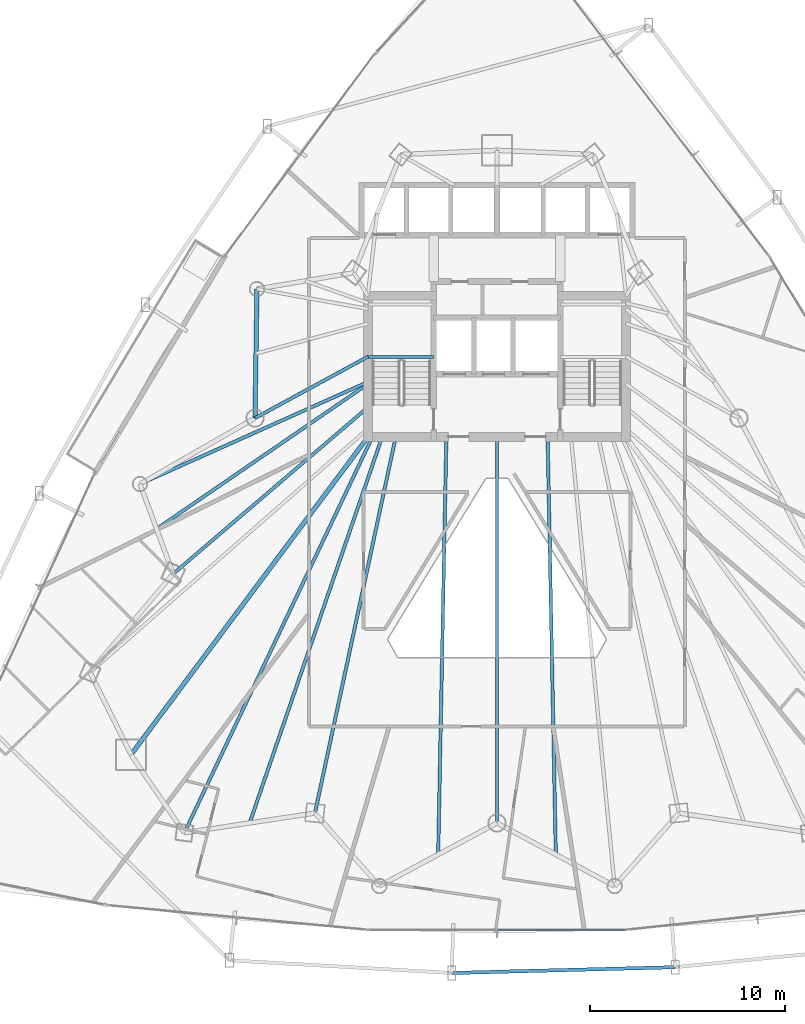
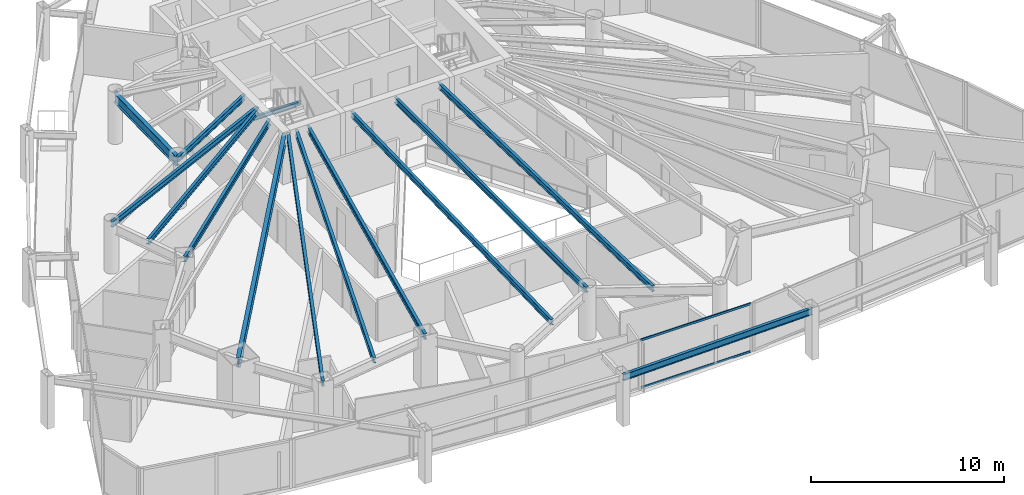
# One storey, part 11 of 35: 14 beams, 2 members, 1 element without a shape of its own.
"""IFC4 building model written with IfcOpenShell, lengths in metres."""

from ifc_helpers import new_model, si_unit, direction, frame, origin, origin_2d, place, context, subcontext, project, spatial, hollow_rectangle, i_section, extrude, material, layer, layer_set, material_profile, profile_set, type_object, element, aggregate, save


model = new_model("IFC4")

# Units and contexts
model_context = context("Model", 3, precision=1e-05, world=origin(), true_north=direction((0.0, 1.0)))
body_context = subcontext(model_context, "Body", "Model", "MODEL_VIEW")
ifc_project = project(units=[si_unit("LENGTHUNIT", "METRE"), si_unit("AREAUNIT", "SQUARE_METRE"), si_unit("VOLUMEUNIT", "CUBIC_METRE"), si_unit("PLANEANGLEUNIT", "RADIAN"), si_unit("MASSUNIT", "GRAM", prefix="KILO")], contexts=[model_context])

# Site, building, storey
site_placement = place(None, origin())
site = spatial("IfcSite", under=ifc_project, at=site_placement, CompositionType="ELEMENT")
building_placement = place(site_placement, origin())
building = spatial("IfcBuilding", under=site, at=building_placement, Name="Orvanel Arch Residences", CompositionType="ELEMENT")
storey_placement = place(building_placement, frame((0.0, 0.0, 33.5)))
storey = spatial("IfcBuildingStorey", under=building, at=storey_placement, Name="L08", CompositionType="ELEMENT", Elevation=33.5)

# Beams
ifc_material_1 = material(Name="Structural steel AS/NZS 3679.1 Grade 300 (300 MPa)", Category="steel")
ifc_material_profile_1 = material_profile(ifc_material_1, i_section(OverallWidth=0.22900390625, OverallDepth=0.612060546875, WebThickness=0.011962890625, FlangeThickness=0.01953125, at=origin_2d()), Name="610UB125")
ifc_profile_set_1 = profile_set([ifc_material_profile_1], Name="Structural steel AS/NZS 3679.1 Grade 300 (300 MPa)")
beam_type_1 = type_object("IfcBeamType", Name="BG-610UB", PredefinedType="BEAM", material=ifc_profile_set_1)
beam_1_placement = place(storey_placement, frame((26.375, 26.675048828125, 2.75390625), z_axis=(-0.597893733742, -0.801575375839, 0.0), x_axis=(0.801575375839, -0.597893733742, 0.0)))
element("IfcBeam", 1, at=beam_1_placement, inside=storey, type_object=beam_type_1, Name="L08 South-West Radial Girder", PredefinedType="BEAM", context=body_context, shape_type="SweptSolid", body=[
    extrude(i_section(OverallWidth=0.22900390625, OverallDepth=0.612060546875, WebThickness=0.011962890625, FlangeThickness=0.01953125, at=origin_2d()), origin(), (0.0, 0.0, 1.0), 20.36474609375),
])
ifc_material_profile_2 = material_profile(ifc_material_1, i_section(OverallWidth=0.14599609375, OverallDepth=0.251953125, WebThickness=0.006103515625, FlangeThickness=0.008544921875, at=origin_2d()), Name="250UB31.4")
ifc_profile_set_2 = profile_set([ifc_material_profile_2], Name="Structural steel AS/NZS 3679.1 Grade 300 (300 MPa)")
beam_type_2 = type_object("IfcBeamType", Name="BJ-250UB", PredefinedType="JOIST", material=ifc_profile_set_2)
beam_2_placement = place(storey_placement, frame((26.39990234375, 30.780029296875, 1.323974609375), z_axis=(1.0, 0.0, 0.0), x_axis=(0.0, 1.0, 0.0)))
element("IfcBeam", 2, at=beam_2_placement, inside=storey, type_object=beam_type_2, Name="L08 ST-1 Half-Landing Support Beam 1.1", PredefinedType="JOIST", context=body_context, shape_type="SweptSolid", body=[
    extrude(i_section(OverallWidth=0.14599609375, OverallDepth=0.251953125, WebThickness=0.006103515625, FlangeThickness=0.008544921875, at=origin_2d()), origin(), (0.0, 0.0, 1.0), 3.35009765625),
])
ifc_material_profile_3 = material_profile(ifc_material_1, i_section(OverallWidth=0.1708984375, OverallDepth=0.35595703125, WebThickness=0.00732421875, FlangeThickness=0.011474609375, at=origin_2d()), Name="360UB50.7")
ifc_profile_set_3 = profile_set([ifc_material_profile_3], Name="Structural steel AS/NZS 3679.1 Grade 300 (300 MPa)")
beam_type_3 = type_object("IfcBeamType", Name="BJ-360UB", PredefinedType="JOIST", material=ifc_profile_set_3)
beam_3_placement = place(storey_placement, frame((26.375, 30.800048828125, 2.882080078125), z_axis=(-0.878399029914, -0.477927969726, 0.0), x_axis=(0.477927969726, -0.878399029914, 0.0)))
element("IfcBeam", 3, at=beam_3_placement, inside=storey, type_object=beam_type_3, Name="L08 NW Wing Floor Joist", PredefinedType="JOIST", context=body_context, shape_type="SweptSolid", body=[
    extrude(i_section(OverallWidth=0.1708984375, OverallDepth=0.35595703125, WebThickness=0.00732421875, FlangeThickness=0.011474609375, at=origin_2d()), origin(), (0.0, 0.0, 1.0), 6.609619140625),
])
beam_4_placement = place(storey_placement, frame((26.375, 28.199951171875, 2.882080078125), z_axis=(-0.760024297953, -0.649894658018, 0.0), x_axis=(0.649894658018, -0.760024297953, 0.0)))
element("IfcBeam", 4, at=beam_4_placement, inside=storey, type_object=beam_type_3, Name="L08 W Wing Floor Joist", PredefinedType="JOIST", context=body_context, shape_type="SweptSolid", body=[
    extrude(i_section(OverallWidth=0.1708984375, OverallDepth=0.35595703125, WebThickness=0.00732421875, FlangeThickness=0.011474609375, at=origin_2d()), origin(), (0.0, 0.0, 1.0), 13.16796875),
])
beam_5_placement = place(storey_placement, frame((27.800048828125, 26.675048828125, 2.882080078125), z_axis=(-0.210066515515, -0.977687096703, 0.0), x_axis=(0.977687096703, -0.210066515515, 0.0)))
element("IfcBeam", 5, at=beam_5_placement, inside=storey, type_object=beam_type_3, Name="L08 SW Wing Floor Joist", PredefinedType="JOIST", context=body_context, shape_type="SweptSolid", body=[
    extrude(i_section(OverallWidth=0.1708984375, OverallDepth=0.35595703125, WebThickness=0.00732421875, FlangeThickness=0.011474609375, at=origin_2d()), origin(), (0.0, 0.0, 1.0), 19.760986328125),
])
beam_6_placement = place(storey_placement, frame((33.0, 26.675048828125, 2.882080078125), z_axis=(0.0, -1.0, 0.0), x_axis=(1.0, 0.0, 0.0)))
element("IfcBeam", 6, at=beam_6_placement, inside=storey, type_object=beam_type_3, Name="L08 SSW Wing Floor Joist", PredefinedType="JOIST", context=body_context, shape_type="SweptSolid", body=[
    extrude(i_section(OverallWidth=0.1708984375, OverallDepth=0.35595703125, WebThickness=0.00732421875, FlangeThickness=0.011474609375, at=origin_2d()), origin(), (0.0, 0.0, 1.0), 19.8310546875),
])
for number, where, z_axis, x_axis, name in (
    (7, (30.39990234375, 26.675048828125, 2.882080078125), (-0.019617680075, -0.999807554797, 0.0), (0.999807554797, -0.019617680075, 0.0), "L08 WSW2 Wing Floor Joist"),
    (8, (35.60009765625, 26.675048828125, 2.882080078125), (0.019617680075, -0.999807554797, 0.0), (0.999807554797, 0.019617680075, 0.0), "L08 ESE2 Wing Floor Joist"),
):
    element("IfcBeam", number, at=place(storey_placement, frame(where, z_axis=z_axis, x_axis=x_axis)), inside=storey, type_object=beam_type_3, Name=name, PredefinedType="JOIST", context=body_context, shape_type="SweptSolid", body=[
        extrude(i_section(OverallWidth=0.1708984375, OverallDepth=0.35595703125, WebThickness=0.00732421875, FlangeThickness=0.011474609375, at=origin_2d()), origin(), (0.0, 0.0, 1.0), 21.455078125),
    ])
beam_7_placement = place(storey_placement, frame((26.60009765625, 26.675048828125, 2.882080078125), z_axis=(-0.429042657795, -0.903284228686, 0.0), x_axis=(0.903284228686, -0.429042657795, 0.0)))
element("IfcBeam", 9, at=beam_7_placement, inside=storey, type_object=beam_type_3, Name="L08 MSW Wing Floor Joist", PredefinedType="JOIST", context=body_context, shape_type="SweptSolid", body=[
    extrude(i_section(OverallWidth=0.1708984375, OverallDepth=0.35595703125, WebThickness=0.00732421875, FlangeThickness=0.011474609375, at=origin_2d()), origin(), (0.0, 0.0, 1.0), 22.513427734375),
])
beam_8_placement = place(storey_placement, frame((26.375, 29.5, 2.882080078125), z_axis=(-0.912704378681, -0.408620505038, 0.0), x_axis=(0.408620505038, -0.912704378681, 0.0)))
element("IfcBeam", 10, at=beam_8_placement, inside=storey, type_object=beam_type_3, Name="L08 LSW Wing Floor Joist", PredefinedType="JOIST", context=body_context, shape_type="SweptSolid", body=[
    extrude(i_section(OverallWidth=0.1708984375, OverallDepth=0.35595703125, WebThickness=0.00732421875, FlangeThickness=0.011474609375, at=origin_2d()), origin(), (0.0, 0.0, 1.0), 12.833251953125),
])
beam_9_placement = place(storey_placement, frame((26.375, 29.39990234375, 2.882080078125), z_axis=(-0.824587280955, -0.565734757716, 0.0), x_axis=(0.565734757716, -0.824587280955, 0.0)))
element("IfcBeam", 11, at=beam_9_placement, inside=storey, type_object=beam_type_3, Name="L08 CTW Wing Floor Joist", PredefinedType="JOIST", context=body_context, shape_type="SweptSolid", body=[
    extrude(i_section(OverallWidth=0.1708984375, OverallDepth=0.35595703125, WebThickness=0.00732421875, FlangeThickness=0.011474609375, at=origin_2d()), origin(), (0.0, 0.0, 1.0), 13.17041015625),
])
beam_10_placement = place(storey_placement, frame((27.10009765625, 26.675048828125, 2.882080078125), z_axis=(-0.324621456495, -0.945844019901, 0.0), x_axis=(0.945844019901, -0.324621456495, 0.0)))
element("IfcBeam", 12, at=beam_10_placement, inside=storey, type_object=beam_type_3, Name="L08 JADD1 Wing Floor Joist", PredefinedType="JOIST", context=body_context, shape_type="SweptSolid", body=[
    extrude(i_section(OverallWidth=0.1708984375, OverallDepth=0.35595703125, WebThickness=0.00732421875, FlangeThickness=0.011474609375, at=origin_2d()), origin(), (0.0, 0.0, 1.0), 20.96337890625),
])
ifc_material_profile_4 = material_profile(ifc_material_1, i_section(OverallWidth=0.177978515625, OverallDepth=0.406005859375, WebThickness=0.0078125, FlangeThickness=0.0126953125, at=origin_2d()), Name="410UB59.7")
ifc_profile_set_4 = profile_set([ifc_material_profile_4], Name="Structural steel AS/NZS 3679.1 Grade 300 (300 MPa)")
beam_type_4 = type_object("IfcBeamType", Name="OB-410UB-EXT", PredefinedType="SPANDREL", material=ifc_profile_set_4)
beam_11_placement = place(storey_placement, frame((30.681884765625, -0.861083984375, 2.85693359375), z_axis=(0.999662336028, 0.025984878809, 0.0), x_axis=(-0.025984878809, 0.999662336028, 0.0)))
element("IfcBeam", 13, at=beam_11_placement, inside=storey, type_object=beam_type_4, Name="L08 Outer Perimeter Floor Ring Beam 06", PredefinedType="SPANDREL", context=body_context, shape_type="SweptSolid", body=[
    extrude(i_section(OverallWidth=0.177978515625, OverallDepth=0.406005859375, WebThickness=0.0078125, FlangeThickness=0.0126953125, at=origin_2d()), origin(), (0.0, 0.0, 1.0), 11.471923828125),
])
ifc_material_profile_5 = material_profile(ifc_material_1, i_section(OverallWidth=0.22900390625, OverallDepth=0.612060546875, WebThickness=0.011962890625, FlangeThickness=0.01953125, at=origin_2d()), Name="610UB125")
ifc_profile_set_5 = profile_set([ifc_material_profile_5], Name="Structural steel AS/NZS 3679.1 Grade 300 (300 MPa)")
beam_type_5 = type_object("IfcBeamType", Name="SP-610UB", PredefinedType="SPANDREL", material=ifc_profile_set_5)
beam_12_placement = place(storey_placement, frame((20.669921875, 34.27099609375, 2.75390625), z_axis=(-0.015206666874, -0.999884371956, 0.0), x_axis=(0.999884371956, -0.015206666874, 0.0)))
element("IfcBeam", 14, at=beam_12_placement, inside=storey, type_object=beam_type_5, Name="L08 Perimeter Spandrel Beam 20", PredefinedType="SPANDREL", context=body_context, shape_type="SweptSolid", body=[
    extrude(i_section(OverallWidth=0.22900390625, OverallDepth=0.612060546875, WebThickness=0.011962890625, FlangeThickness=0.01953125, at=origin_2d()), origin(), (0.0, 0.0, 1.0), 6.630615234375),
])

# Curtain wall, members
ifc_material_2 = material(Name="Bronze-anodised aluminium AA6063-T6", Category="aluminium")
ifc_layer = layer(ifc_material_2, 0.179931640625)
ifc_layer_set = layer_set([ifc_layer], Name="Bronze-anodised aluminium AA6063-T6")
curtain_wall_type = type_object("IfcCurtainWallType", Name="CW2-LOW-SYS", PredefinedType="NOTDEFINED", material=ifc_layer_set)
curtain_wall_placement = place(storey_placement, origin())
curtain_wall = element("IfcCurtainWall", 15, at=curtain_wall_placement, inside=storey, type_object=curtain_wall_type, Name="L08 CW2-LOW-SYS Unitised Curtain Wall", PredefinedType="NOTDEFINED")
ifc_material_profile_6 = material_profile(ifc_material_2, hollow_rectangle(XDim=0.06005859375, YDim=0.135009765625, WallThickness=0.00390625, at=origin_2d()), Name="ALU135x60x4")
ifc_profile_set_6 = profile_set([ifc_material_profile_6], Name="Bronze-anodised aluminium AA6063-T6")
member_type = type_object("IfcMemberType", Name="TRN-135x60", PredefinedType="USERDEFINED", material=ifc_profile_set_6)
member_1_placement = place(storey_placement, frame((33.034912109375, 1.35595703125, 0.030029296875), z_axis=(1.0, 0.0, 0.0), x_axis=(0.0, 1.0, 0.0)))
member_1 = element("IfcMember", 16, at=member_1_placement, type_object=member_type, Name="CW-S2 transom 2.1", ObjectType="TRANSOM", PredefinedType="USERDEFINED", context=body_context, shape_type="SweptSolid", body=[
    extrude(hollow_rectangle(XDim=0.06005859375, YDim=0.135009765625, WallThickness=0.00390625, at=origin_2d()), origin(), (0.0, 0.0, 1.0), 6.552978515625),
])
member_2_placement = place(storey_placement, frame((33.034912109375, 1.35595703125, 3.030029296875), z_axis=(1.0, 0.0, 0.0), x_axis=(0.0, 1.0, 0.0)))
member_2 = element("IfcMember", 17, at=member_2_placement, type_object=member_type, Name="CW-S2 transom 2.2", ObjectType="TRANSOM", PredefinedType="USERDEFINED", context=body_context, shape_type="SweptSolid", body=[
    extrude(hollow_rectangle(XDim=0.06005859375, YDim=0.135009765625, WallThickness=0.00390625, at=origin_2d()), origin(), (0.0, 0.0, 1.0), 6.552978515625),
])
aggregate(curtain_wall, [member_1, member_2])

save(model, "model.ifc")
